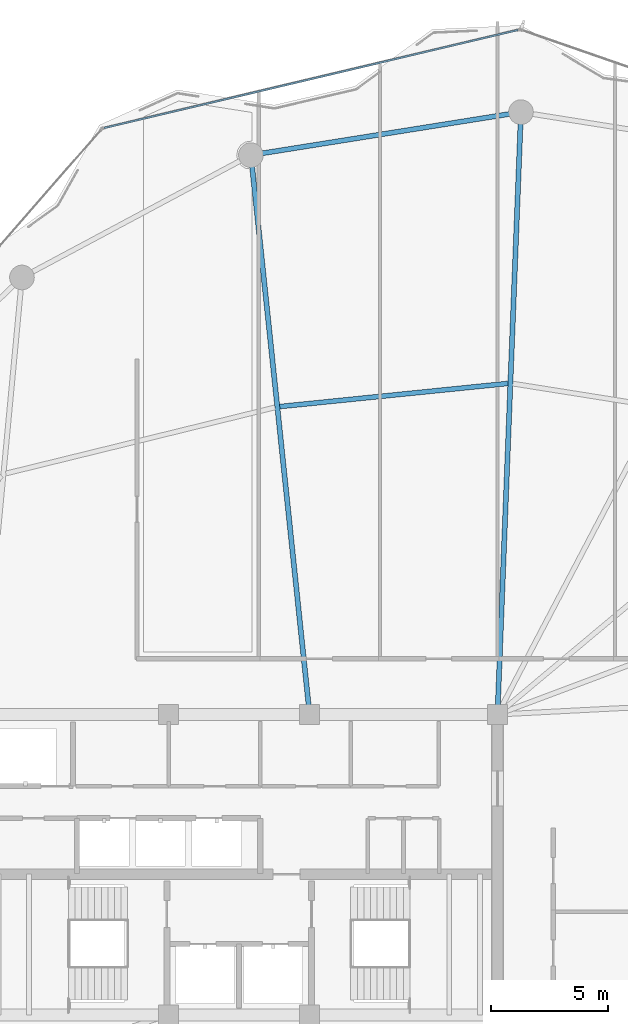
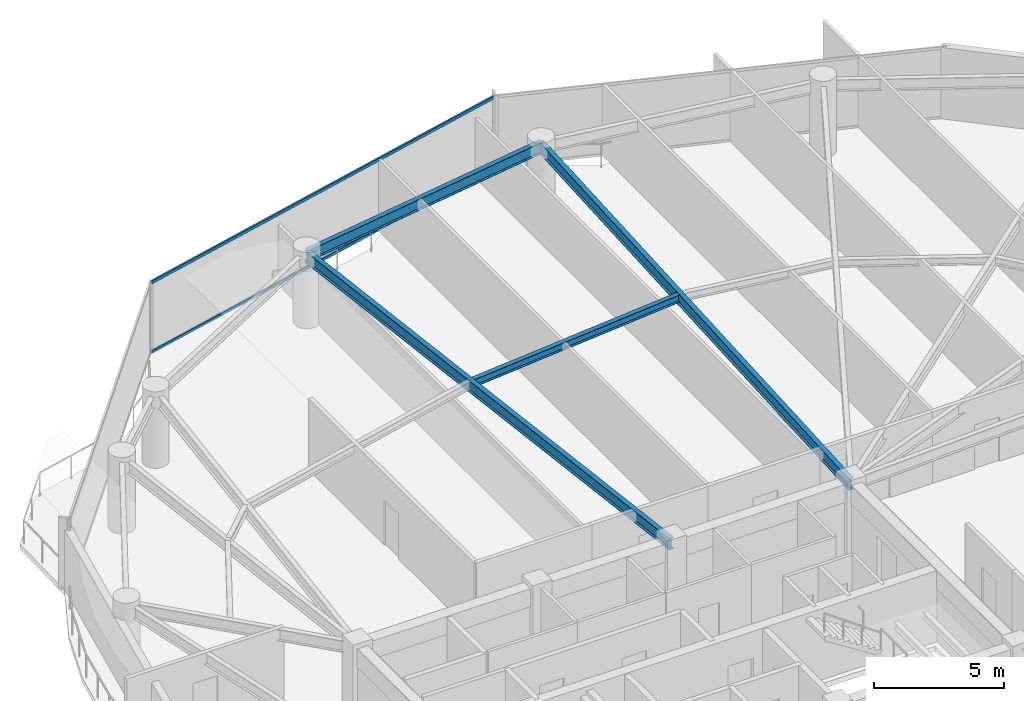
# One storey, part 18 of 28: 4 beams, 2 members, 1 element without a shape of its own.
"""IFC4 building model written with IfcOpenShell, lengths in metres."""

from ifc_helpers import new_model, si_unit, direction, frame, origin, origin_2d, place, context, subcontext, project, spatial, hollow_rectangle, i_section, extrude, material, layer, layer_set, material_profile, profile_set, type_object, element, aggregate, save


model = new_model("IFC4")

# Units and contexts
model_context = context("Model", 3, precision=1e-05, world=origin(), true_north=direction((0.0, 1.0)))
body_context = subcontext(model_context, "Body", "Model", "MODEL_VIEW")
ifc_project = project(units=[si_unit("LENGTHUNIT", "METRE"), si_unit("AREAUNIT", "SQUARE_METRE"), si_unit("VOLUMEUNIT", "CUBIC_METRE"), si_unit("PLANEANGLEUNIT", "RADIAN"), si_unit("MASSUNIT", "GRAM", prefix="KILO")], contexts=[model_context])

# Site, building, storey
site_placement = place(None, origin())
site = spatial("IfcSite", under=ifc_project, at=site_placement, CompositionType="ELEMENT")
building_placement = place(site_placement, origin())
building = spatial("IfcBuilding", under=site, at=building_placement, Name="Kazevale Care Tower and Concert Hall", CompositionType="ELEMENT")
storey_placement = place(building_placement, frame((0.0, 0.0, 228.0)))
storey = spatial("IfcBuildingStorey", under=building, at=storey_placement, Name="L60", CompositionType="ELEMENT", Elevation=228.0)

# Curtain wall, members
ifc_material_1 = material(Name="Aluminium 6063-T6 and Low-E Glass", Category="aluminium")
ifc_layer = layer(ifc_material_1, 0.179931640625)
ifc_layer_set = layer_set([ifc_layer], Name="Aluminium 6063-T6 and Low-E Glass")
curtain_wall_type = type_object("IfcCurtainWallType", Name="Waist & Upper Residential Curtain Wall CW-4", PredefinedType="NOTDEFINED", material=ifc_layer_set)
curtain_wall_placement = place(storey_placement, origin())
curtain_wall = element("IfcCurtainWall", 1, at=curtain_wall_placement, inside=storey, type_object=curtain_wall_type, Name="cw:L60:f15", PredefinedType="NOTDEFINED")
ifc_material_2 = material(Name="Aluminium 6063-T6", Category="aluminium")
ifc_material_profile_1 = material_profile(ifc_material_2, hollow_rectangle(XDim=0.080078125, YDim=0.139892578125, WallThickness=0.00390625, at=origin_2d()), Name="ALU80x140x4")
ifc_profile_set_1 = profile_set([ifc_material_profile_1], Name="Aluminium 6063-T6")
member_type = type_object("IfcMemberType", Name="CW-4 Transom ALU80x140x4", PredefinedType="USERDEFINED", material=ifc_profile_set_1)
member_1_placement = place(storey_placement, frame((27.249755859375, 61.37548828125, 0.0400390625), z_axis=(0.973087923042, 0.2304341425, 0.0), x_axis=(-0.2304341425, 0.973087923042, 0.0)))
member_1 = element("IfcMember", 2, at=member_1_placement, type_object=member_type, Name="CW-4 transom 1.1", ObjectType="TRANSOM", PredefinedType="USERDEFINED", context=body_context, shape_type="SweptSolid", body=[
    extrude(hollow_rectangle(XDim=0.080078125, YDim=0.139892578125, WallThickness=0.00390625, at=origin_2d()), origin(), (0.0, 0.0, 1.0), 18.114013671875),
])
member_2_placement = place(storey_placement, frame((27.249755859375, 61.37548828125, 3.320068359375), z_axis=(0.973087923042, 0.2304341425, 0.0), x_axis=(-0.2304341425, 0.973087923042, 0.0)))
member_2 = element("IfcMember", 3, at=member_2_placement, type_object=member_type, Name="CW-4 transom 1.2", ObjectType="TRANSOM", PredefinedType="USERDEFINED", context=body_context, shape_type="SweptSolid", body=[
    extrude(hollow_rectangle(XDim=0.080078125, YDim=0.139892578125, WallThickness=0.00390625, at=origin_2d()), origin(), (0.0, 0.0, 1.0), 18.114013671875),
])
aggregate(curtain_wall, [member_1, member_2])

# Beams
ifc_material_3 = material(Name="Steel ASTM A572 Gr 50", Category="steel")
ifc_material_profile_2 = material_profile(ifc_material_3, i_section(OverallWidth=0.2119140625, OverallDepth=0.5439453125, WebThickness=0.01318359375, FlangeThickness=0.021240234375, at=origin_2d()), Name="W530x123")
ifc_profile_set_2 = profile_set([ifc_material_profile_2], Name="Steel ASTM A572 Gr 50")
beam_type_1 = type_object("IfcBeamType", Name="Radial Floor Girder W530x123", PredefinedType="BEAM", material=ifc_profile_set_2)
beam_1_placement = place(storey_placement, frame((44.0, 36.39990234375, 3.087890625), z_axis=(0.03895653799, 0.999240905962, 0.0), x_axis=(-0.999240905962, 0.03895653799, 0.0)))
element("IfcBeam", 4, at=beam_1_placement, inside=storey, type_object=beam_type_1, Name="beam:L60:rad:05", PredefinedType="BEAM", context=body_context, shape_type="SweptSolid", body=[
    extrude(i_section(OverallWidth=0.2119140625, OverallDepth=0.5439453125, WebThickness=0.01318359375, FlangeThickness=0.021240234375, at=origin_2d()), origin(), (0.0, 0.0, 1.0), 25.669677734375),
])
beam_2_placement = place(storey_placement, frame((36.0, 36.39990234375, 3.087890625), z_axis=(-0.104380207012, 0.994537466556, 0.0), x_axis=(-0.994537466556, -0.104380207012, 0.0)))
element("IfcBeam", 5, at=beam_2_placement, inside=storey, type_object=beam_type_1, Name="beam:L60:rad:06", PredefinedType="BEAM", context=body_context, shape_type="SweptSolid", body=[
    extrude(i_section(OverallWidth=0.2119140625, OverallDepth=0.5439453125, WebThickness=0.01318359375, FlangeThickness=0.021240234375, at=origin_2d()), origin(), (0.0, 0.0, 1.0), 23.950927734375),
])
ifc_material_profile_3 = material_profile(ifc_material_3, i_section(OverallWidth=0.205078125, OverallDepth=0.35400390625, WebThickness=0.009521484375, FlangeThickness=0.016845703125, at=origin_2d()), Name="W360x79")
ifc_profile_set_3 = profile_set([ifc_material_profile_3], Name="Steel ASTM A572 Gr 50")
beam_type_2 = type_object("IfcBeamType", Name="Secondary Floor Joist W360x79", PredefinedType="JOIST", material=ifc_profile_set_3)
beam_3_placement = place(storey_placement, frame((44.446044921875, 50.4970703125, 3.18310546875), z_axis=(-0.994900388447, -0.10086236696, 0.0), x_axis=(0.10086236696, -0.994900388447, 0.0)))
element("IfcBeam", 6, at=beam_3_placement, inside=storey, type_object=beam_type_2, Name="beam:L60:joist:05", PredefinedType="JOIST", context=body_context, shape_type="SweptSolid", body=[
    extrude(i_section(OverallWidth=0.205078125, OverallDepth=0.35400390625, WebThickness=0.009521484375, FlangeThickness=0.016845703125, at=origin_2d()), origin(), (0.0, 0.0, 1.0), 9.766845703125),
])
ifc_material_profile_4 = material_profile(ifc_material_3, i_section(OverallWidth=0.208984375, OverallDepth=0.532958984375, WebThickness=0.01025390625, FlangeThickness=0.015625, at=origin_2d()), Name="W530x92")
ifc_profile_set_4 = profile_set([ifc_material_profile_4], Name="Steel ASTM A572 Gr 50")
beam_type_3 = type_object("IfcBeamType", Name="Upper Ring Beam W530x92", PredefinedType="BEAM", material=ifc_profile_set_4)
beam_4_placement = place(storey_placement, frame((45.0, 62.050048828125, 3.093505859375), z_axis=(-0.987573207584, -0.15715966296, 0.0), x_axis=(0.15715966296, -0.987573207584, 0.0)))
element("IfcBeam", 7, at=beam_4_placement, inside=storey, type_object=beam_type_3, Name="beam:L60:ring:05", PredefinedType="BEAM", context=body_context, shape_type="SweptSolid", body=[
    extrude(i_section(OverallWidth=0.208984375, OverallDepth=0.532958984375, WebThickness=0.01025390625, FlangeThickness=0.015625, at=origin_2d()), origin(), (0.0, 0.0, 1.0), 11.644775390625),
])

save(model, "model.ifc")
